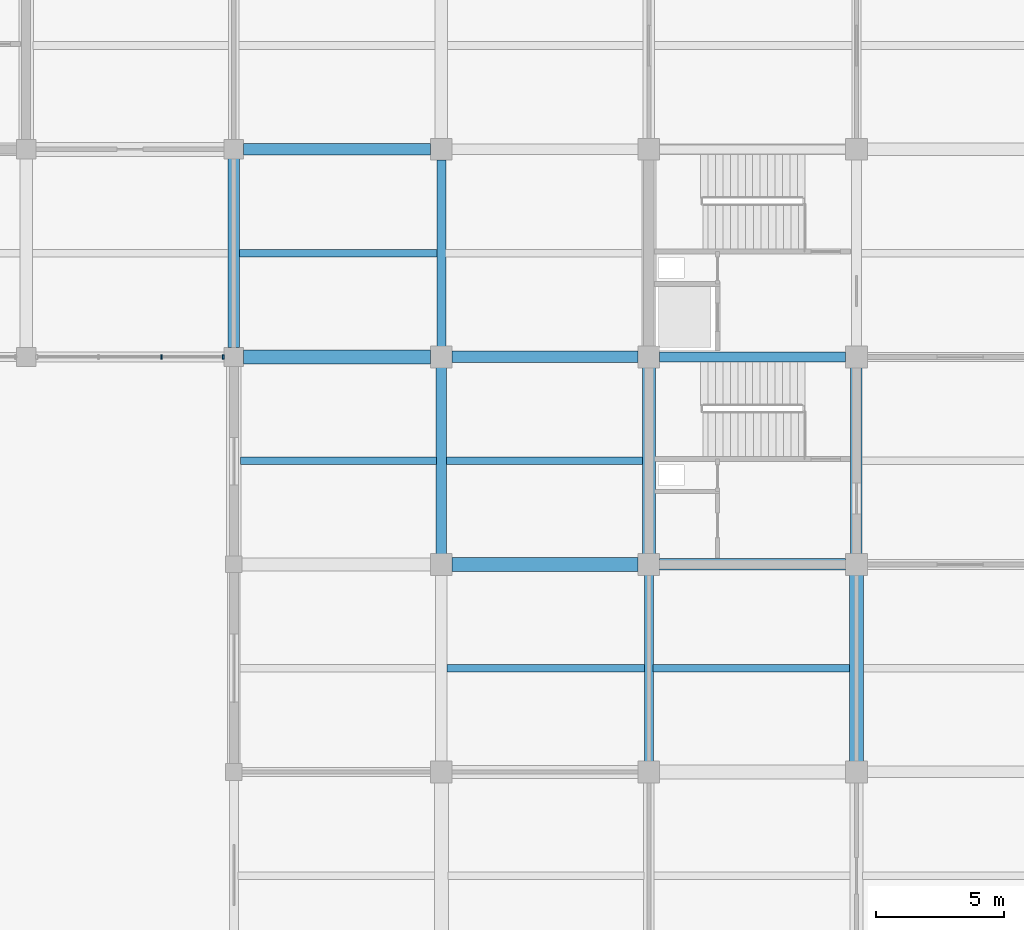
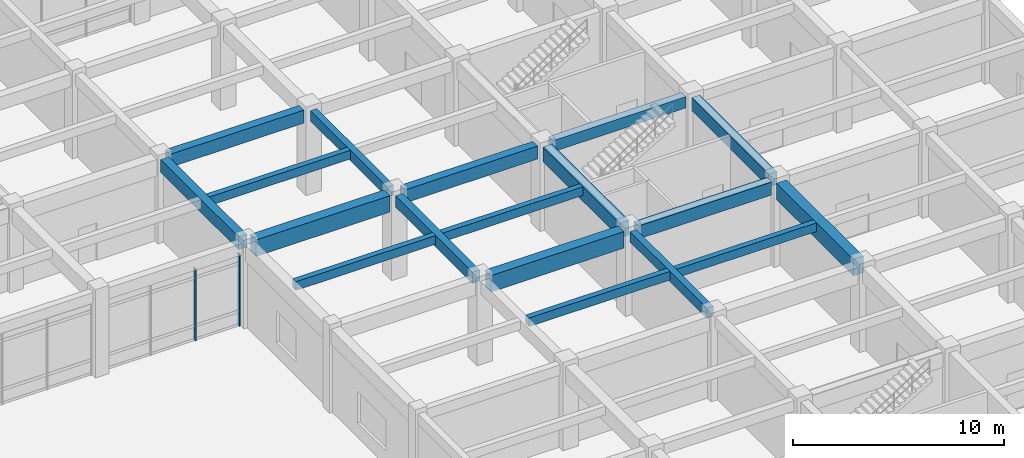
# One storey, part 42 of 99: 18 beams, 2 members, 1 element without a shape of its own.
"""IFC4 building model written with IfcOpenShell, lengths in metres."""

import ifcopenshell
import ifcopenshell.guid

model = None  # the IFC model being written
_history = None  # IfcOwnerHistory: only IFC2X3 demands one
_inside = {}  # id of a spatial element -> (the spatial element, [elements in it])
_under = {}  # id of a project, library or spatial element -> (it, [spatial elements below it])
_declared = {}  # id of a project -> (the project, [libraries it declares])
_typed = {}  # id of a type object -> (the type object, [elements of that type])
_made_of = {}  # id of a material, layer set ... -> (it, [elements and type objects made of it])


def new_model(schema):
    """Start an empty IFC model of exactly this schema.

    Asked for "IFC4X3", IfcOpenShell would pick the latest addendum, in which some entities
    have other attributes; the version numbers below select the first issue.
    IFC2X3 requires an IfcOwnerHistory on every rooted entity: one is made here for all.
    """
    global model, _history
    if schema == "IFC4X3":
        model = ifcopenshell.file(schema_version=(4, 3, 0, 0))
    else:
        model = ifcopenshell.file(schema=schema)
    _inside.clear()
    _under.clear()
    _declared.clear()
    _typed.clear()
    _made_of.clear()
    _history = None
    if model.schema == "IFC2X3":
        org = make("IfcOrganization", Name="unknown")
        user = make(
            "IfcPersonAndOrganization",
            ThePerson=make("IfcPerson", FamilyName="unknown"),
            TheOrganization=org,
        )
        app = make(
            "IfcApplication",
            ApplicationDeveloper=org,
            Version="unknown",
            ApplicationFullName="unknown",
            ApplicationIdentifier="unknown",
        )
        _history = make(
            "IfcOwnerHistory",
            OwningUser=user,
            OwningApplication=app,
            ChangeAction="ADDED",
            CreationDate=0,
        )
    return model


def make(cls, **values):
    """One entity of the class cls with the attributes given. An attribute that is None is left unset."""
    return model.create_entity(
        cls, **{name: value for name, value in values.items() if value is not None}
    )


def rooted(cls, **values):
    """An entity with a GlobalId (a new one), such as an element, a storey or a relation."""
    return make(cls, GlobalId=ifcopenshell.guid.new(), OwnerHistory=_history, **values)


def si_unit(unit_type, name, prefix=None):
    """IfcSIUnit, for example si_unit("LENGTHUNIT", "METRE", prefix="MILLI")."""
    return make("IfcSIUnit", UnitType=unit_type, Prefix=prefix, Name=name)


def assignment(units):
    """IfcUnitAssignment: the units of a project."""
    return None if units is None else make("IfcUnitAssignment", Units=units)


def point(xyz):
    """IfcCartesianPoint."""
    return None if xyz is None else make("IfcCartesianPoint", Coordinates=xyz)


def direction(xyz):
    """IfcDirection."""
    return None if xyz is None else make("IfcDirection", DirectionRatios=xyz)


def frame(location, z_axis=None, x_axis=None):
    """IfcAxis2Placement3D, a coordinate frame: its origin and axes. An axis left out is left unset."""
    return make(
        "IfcAxis2Placement3D",
        Location=point(location),
        Axis=direction(z_axis),
        RefDirection=direction(x_axis),
    )


def frame_2d(location, x_axis=None):
    """IfcAxis2Placement2D, a coordinate frame in the plane: its origin and x axis."""
    return make(
        "IfcAxis2Placement2D", Location=point(location), RefDirection=direction(x_axis)
    )


def origin():
    """The frame at (0, 0, 0) with its axes left unset."""
    return frame((0.0, 0.0, 0.0))


def origin_2d():
    """The frame at (0, 0) in the plane with its x axis left unset."""
    return frame_2d((0.0, 0.0))


def place(relative_to, where):
    """IfcLocalPlacement: puts the frame where relative to a parent placement (None: the world)."""
    return make(
        "IfcLocalPlacement", PlacementRelTo=relative_to, RelativePlacement=where
    )


def context(
    kind, dimensions, precision=None, world=None, true_north=None, identifier=None
):
    """IfcGeometricRepresentationContext, for example the 3D "Model" context."""
    return make(
        "IfcGeometricRepresentationContext",
        ContextIdentifier=identifier,
        ContextType=kind,
        CoordinateSpaceDimension=dimensions,
        Precision=precision,
        WorldCoordinateSystem=world,
        TrueNorth=true_north,
    )


def subcontext(parent, identifier, kind, view, scale=None):
    """IfcGeometricRepresentationSubContext, for example "Body" below "Model"."""
    return make(
        "IfcGeometricRepresentationSubContext",
        ContextIdentifier=identifier,
        ContextType=kind,
        ParentContext=parent,
        TargetScale=scale,
        TargetView=view,
    )


def project(units=None, contexts=None):
    """IfcProject with its units and contexts."""
    return rooted(
        "IfcProject",
        Name="project",
        RepresentationContexts=contexts,
        UnitsInContext=assignment(units),
    )


def spatial(cls, under=None, at=None, **own):
    """A site, building, storey or space (cls), placed at a placement, below another one or the project."""
    s = rooted(cls, ObjectPlacement=at, **own)
    if under is not None:
        _under.setdefault(under.id(), (under, []))[1].append(s)
    return s


def profile(cls, at=None, kind="AREA", **sizes):
    """A parametric profile (cls). Its sizes go by their IFC names, for example OverallWidth=200.0."""
    return make(cls, ProfileType=kind, Position=at, **sizes)


def rectangle(**sizes):
    """IfcRectangleProfileDef."""
    return profile("IfcRectangleProfileDef", **sizes)


def extrude(swept, where, along, depth):
    """IfcExtrudedAreaSolid: the profile swept, set in the frame where, extruded along a direction by depth."""
    return make(
        "IfcExtrudedAreaSolid",
        SweptArea=swept,
        Position=where,
        ExtrudedDirection=direction(along),
        Depth=depth,
    )


def shape(context_of_items, identifier, shape_type, items):
    """IfcShapeRepresentation: the items that make up one representation, for example the "Body"."""
    return make(
        "IfcShapeRepresentation",
        ContextOfItems=context_of_items,
        RepresentationIdentifier=identifier,
        RepresentationType=shape_type,
        Items=items,
    )


def material(Name=None, Category=None):
    """IfcMaterial."""
    return make("IfcMaterial", Name=Name, Category=Category)


def layer(
    of_material, thickness, ventilated=None, Name=None, Category=None, Priority=None
):
    """IfcMaterialLayer: one layer of a wall or slab, of a material (None: an air gap)."""
    return make(
        "IfcMaterialLayer",
        Material=of_material,
        LayerThickness=thickness,
        IsVentilated=ventilated,
        Name=Name,
        Category=Category,
        Priority=Priority,
    )


def layer_set(layers, Name=None):
    """IfcMaterialLayerSet."""
    return make("IfcMaterialLayerSet", MaterialLayers=layers, LayerSetName=Name)


def material_profile(
    of_material, cross_section, Name=None, Category=None, Priority=None
):
    """IfcMaterialProfile: a cross section and its material."""
    return make(
        "IfcMaterialProfile",
        Name=Name,
        Material=of_material,
        Profile=cross_section,
        Priority=Priority,
        Category=Category,
    )


def profile_set(profiles, Name=None, composite=None):
    """IfcMaterialProfileSet."""
    return make(
        "IfcMaterialProfileSet",
        Name=Name,
        MaterialProfiles=profiles,
        CompositeProfile=composite,
    )


def made_of(thing, what):
    """Note that an element or type object is made of a material, layer set ...; save() writes the relation."""
    if what is not None:
        _made_of.setdefault(what.id(), (what, []))[1].append(thing)
    return thing


def type_object(cls, material=None, **own):
    """A type object (cls), such as IfcWallType, which elements share."""
    return made_of(rooted(cls, **own), material)


def element(
    cls,
    number,
    at=None,
    inside=None,
    cuts=None,
    type_object=None,
    material=None,
    context=None,
    identifier="Body",
    shape_type=None,
    held_by="IfcProductDefinitionShape",
    body=None,
    shapes=None,
    **own,
):
    """One element of the class cls, such as IfcWall. Its Tag is "e" and its number.

    at: its placement. inside: the storey or other place that contains it. cuts: it is an
    opening in that element (IfcRelVoidsElement). A single representation is given by context,
    identifier, shape_type and body (its items); several are given by shapes. held_by: the class
    of the entity that holds the representations. save() writes the other relations.
    """
    e = rooted(cls, Tag="e%d" % number, ObjectPlacement=at, **own)
    if body is not None:
        shapes = [shape(context, identifier, shape_type, body)]
    if shapes is not None:
        e.Representation = make(held_by, Representations=shapes)
    if inside is not None:
        _inside.setdefault(inside.id(), (inside, []))[1].append(e)
    if cuts is not None:
        rooted(
            "IfcRelVoidsElement", RelatingBuildingElement=cuts, RelatedOpeningElement=e
        )
    if type_object is not None:
        _typed.setdefault(type_object.id(), (type_object, []))[1].append(e)
    return made_of(e, material)


def aggregate(whole, parts):
    """IfcRelAggregates: a whole, such as a stair, and the parts it consists of."""
    return rooted("IfcRelAggregates", RelatingObject=whole, RelatedObjects=parts)


def save(model, path):
    """Write the relations noted so far, then the file.

    IfcRelAggregates (storeys below a building ...), IfcRelContainedInSpatialStructure (elements
    in a storey), IfcRelDefinesByType, IfcRelAssociatesMaterial and IfcRelDeclares: one each for
    every whole, place, type object, material and project.
    """
    for whole, parts in _under.values():
        aggregate(whole, parts)
    for where, things in _inside.values():
        rooted(
            "IfcRelContainedInSpatialStructure",
            RelatedElements=things,
            RelatingStructure=where,
        )
    for kind, things in _typed.values():
        rooted("IfcRelDefinesByType", RelatedObjects=things, RelatingType=kind)
    for what, things in _made_of.values():
        rooted("IfcRelAssociatesMaterial", RelatedObjects=things, RelatingMaterial=what)
    for by, libraries in _declared.values():
        rooted("IfcRelDeclares", RelatingContext=by, RelatedDefinitions=libraries)
    model.write(path)


model = new_model("IFC4")

# Units and contexts
model_context = context("Model", 3, precision=1e-05, world=origin(), true_north=direction((0.0, 1.0)))
body_context = subcontext(model_context, "Body", "Model", "MODEL_VIEW")
ifc_project = project(units=[si_unit("LENGTHUNIT", "METRE"), si_unit("AREAUNIT", "SQUARE_METRE"), si_unit("VOLUMEUNIT", "CUBIC_METRE"), si_unit("PLANEANGLEUNIT", "RADIAN"), si_unit("MASSUNIT", "GRAM", prefix="KILO")], contexts=[model_context])

# Site, building, storey
site_placement = place(None, origin())
site = spatial("IfcSite", under=ifc_project, at=site_placement, CompositionType="ELEMENT")
building_placement = place(site_placement, origin())
building = spatial("IfcBuilding", under=site, at=building_placement, Name="Vaudrelin Polytechnic", CompositionType="ELEMENT")
storey_placement = place(building_placement, origin())
storey = spatial("IfcBuildingStorey", under=building, at=storey_placement, Name="L00", CompositionType="ELEMENT", Elevation=0.0)

# Beams
ifc_material_1 = material(Name="Concrete 40 MPa", Category="concrete")
ifc_material_profile_1 = material_profile(ifc_material_1, rectangle(XDim=0.35009765625, YDim=0.60009765625, at=origin_2d()), Name="RC350x600")
ifc_profile_set_1 = profile_set([ifc_material_profile_1], Name="Concrete 40 MPa")
beam_type_1 = type_object("IfcBeamType", Name="BM-BM-RC3560", PredefinedType="BEAM", material=ifc_profile_set_1)
beam_1_placement = place(storey_placement, frame((137.699951171875, 97.610107421875, 4.52001953125), z_axis=(0.0, 1.0, 0.0), x_axis=(-1.0, 0.0, 0.0)))
element("IfcBeam", 1, at=beam_1_placement, inside=storey, type_object=beam_type_1, Name="L00 Y-beam 18-13", PredefinedType="BEAM", context=body_context, shape_type="SweptSolid", body=[
    extrude(rectangle(XDim=0.35009765625, YDim=0.60009765625, at=origin_2d()), origin(), (0.0, 0.0, 1.0), 7.27978515625),
])
beam_2_placement = place(storey_placement, frame((145.800048828125, 81.409912109375, 4.52001953125), z_axis=(0.0, 1.0, 0.0), x_axis=(-1.0, 0.0, 0.0)))
element("IfcBeam", 2, at=beam_2_placement, inside=storey, type_object=beam_type_1, Name="L00 Y-beam 19-11", PredefinedType="BEAM", context=body_context, shape_type="SweptSolid", body=[
    extrude(rectangle(XDim=0.35009765625, YDim=0.60009765625, at=origin_2d()), origin(), (0.0, 0.0, 1.0), 7.280029296875),
])
ifc_material_profile_2 = material_profile(ifc_material_1, rectangle(XDim=0.39990234375, YDim=0.64990234375, at=origin_2d()), Name="RC400x650")
ifc_profile_set_2 = profile_set([ifc_material_profile_2], Name="Concrete 40 MPa")
beam_type_2 = type_object("IfcBeamType", Name="BM-BM-RC4065", PredefinedType="BEAM", material=ifc_profile_set_2)
beam_3_placement = place(storey_placement, frame((137.699951171875, 89.510009765625, 4.4951171875), z_axis=(0.0, 1.0, 0.0), x_axis=(-1.0, 0.0, 0.0)))
element("IfcBeam", 3, at=beam_3_placement, inside=storey, type_object=beam_type_2, Name="L00 Y-beam 18-12", PredefinedType="BEAM", context=body_context, shape_type="SweptSolid", body=[
    extrude(rectangle(XDim=0.39990234375, YDim=0.64990234375, at=origin_2d()), origin(), (0.0, 0.0, 1.0), 7.280029296875),
])
beam_4_placement = place(storey_placement, frame((146.220947265625, 97.199951171875, 4.4951171875), z_axis=(1.0, 0.0, 0.0), x_axis=(0.0, 1.0, 0.0)))
element("IfcBeam", 4, at=beam_4_placement, inside=storey, type_object=beam_type_2, Name="L00 X-beam 19-13", PredefinedType="BEAM", context=body_context, shape_type="SweptSolid", body=[
    extrude(rectangle(XDim=0.39990234375, YDim=0.64990234375, at=origin_2d()), origin(), (0.0, 0.0, 1.0), 7.258056640625),
])
ifc_material_profile_3 = material_profile(ifc_material_1, rectangle(XDim=0.449951171875, YDim=0.75, at=origin_2d()), Name="RC450x750")
ifc_profile_set_3 = profile_set([ifc_material_profile_3], Name="Concrete 40 MPa")
beam_type_3 = type_object("IfcBeamType", Name="BM-BM-RC4575", PredefinedType="BEAM", material=ifc_profile_set_3)
beam_5_placement = place(storey_placement, frame((129.60009765625, 97.56005859375, 4.445068359375), z_axis=(0.0, 1.0, 0.0), x_axis=(-1.0, 0.0, 0.0)))
element("IfcBeam", 5, at=beam_5_placement, inside=storey, type_object=beam_type_3, Name="L00 Y-beam 17-13", PredefinedType="BEAM", context=body_context, shape_type="SweptSolid", body=[
    extrude(rectangle(XDim=0.449951171875, YDim=0.75, at=origin_2d()), origin(), (0.0, 0.0, 1.0), 7.3798828125),
])
beam_6_placement = place(storey_placement, frame((153.89990234375, 89.510009765625, 4.445068359375), z_axis=(0.0, 1.0, 0.0), x_axis=(-1.0, 0.0, 0.0)))
element("IfcBeam", 6, at=beam_6_placement, inside=storey, type_object=beam_type_3, Name="L00 Y-beam 20-12", PredefinedType="BEAM", context=body_context, shape_type="SweptSolid", body=[
    extrude(rectangle(XDim=0.449951171875, YDim=0.75, at=origin_2d()), origin(), (0.0, 0.0, 1.0), 7.280029296875),
])
beam_7_placement = place(storey_placement, frame((129.970947265625, 105.300048828125, 4.445068359375), z_axis=(1.0, 0.0, 0.0), x_axis=(0.0, 1.0, 0.0)))
element("IfcBeam", 7, at=beam_7_placement, inside=storey, type_object=beam_type_3, Name="L00 X-beam 17-14", PredefinedType="BEAM", context=body_context, shape_type="SweptSolid", body=[
    extrude(rectangle(XDim=0.449951171875, YDim=0.75, at=origin_2d()), origin(), (0.0, 0.0, 1.0), 7.30810546875),
])
beam_8_placement = place(storey_placement, frame((138.12109375, 97.199951171875, 4.445068359375), z_axis=(1.0, 0.0, 0.0), x_axis=(0.0, 1.0, 0.0)))
element("IfcBeam", 8, at=beam_8_placement, inside=storey, type_object=beam_type_3, Name="L00 X-beam 18-13", PredefinedType="BEAM", context=body_context, shape_type="SweptSolid", body=[
    extrude(rectangle(XDim=0.449951171875, YDim=0.75, at=origin_2d()), origin(), (0.0, 0.0, 1.0), 7.2578125),
])
beam_9_placement = place(storey_placement, frame((146.220947265625, 89.10009765625, 4.445068359375), z_axis=(1.0, 0.0, 0.0), x_axis=(0.0, 1.0, 0.0)))
element("IfcBeam", 9, at=beam_9_placement, inside=storey, type_object=beam_type_3, Name="L00 X-beam 19-12", PredefinedType="BEAM", context=body_context, shape_type="SweptSolid", body=[
    extrude(rectangle(XDim=0.449951171875, YDim=0.75, at=origin_2d()), origin(), (0.0, 0.0, 1.0), 7.258056640625),
])
ifc_material_profile_4 = material_profile(ifc_material_1, rectangle(XDim=0.5, YDim=0.85009765625, at=origin_2d()), Name="RC500x850")
ifc_profile_set_4 = profile_set([ifc_material_profile_4], Name="Concrete 40 MPa")
beam_type_4 = type_object("IfcBeamType", Name="BM-BM-RC5085", PredefinedType="BEAM", material=ifc_profile_set_4)
beam_10_placement = place(storey_placement, frame((145.800048828125, 89.510009765625, 4.39501953125), z_axis=(0.0, 1.0, 0.0), x_axis=(-1.0, 0.0, 0.0)))
element("IfcBeam", 10, at=beam_10_placement, inside=storey, type_object=beam_type_4, Name="L00 Y-beam 19-12", PredefinedType="BEAM", context=body_context, shape_type="SweptSolid", body=[
    extrude(rectangle(XDim=0.5, YDim=0.85009765625, at=origin_2d()), origin(), (0.0, 0.0, 1.0), 7.280029296875),
])
ifc_material_2 = material(Name="Concrete 50 MPa", Category="concrete")
ifc_material_profile_5 = material_profile(ifc_material_2, rectangle(XDim=0.550048828125, YDim=0.949951171875, at=origin_2d()), Name="RC550x950")
ifc_profile_set_5 = profile_set([ifc_material_profile_5], Name="Concrete 50 MPa")
beam_type_5 = type_object("IfcBeamType", Name="BM-BM-RC5595", PredefinedType="BEAM", material=ifc_profile_set_5)
beam_11_placement = place(storey_placement, frame((153.89990234375, 81.409912109375, 4.344970703125), z_axis=(0.0, 1.0, 0.0), x_axis=(-1.0, 0.0, 0.0)))
element("IfcBeam", 11, at=beam_11_placement, inside=storey, type_object=beam_type_5, Name="L00 Y-beam 20-11", PredefinedType="BEAM", context=body_context, shape_type="SweptSolid", body=[
    extrude(rectangle(XDim=0.550048828125, YDim=0.949951171875, at=origin_2d()), origin(), (0.0, 0.0, 1.0), 7.280029296875),
])
beam_12_placement = place(storey_placement, frame((129.970947265625, 97.199951171875, 4.344970703125), z_axis=(1.0, 0.0, 0.0), x_axis=(0.0, 1.0, 0.0)))
element("IfcBeam", 12, at=beam_12_placement, inside=storey, type_object=beam_type_5, Name="L00 X-beam 17-13", PredefinedType="BEAM", context=body_context, shape_type="SweptSolid", body=[
    extrude(rectangle(XDim=0.550048828125, YDim=0.949951171875, at=origin_2d()), origin(), (0.0, 0.0, 1.0), 7.30810546875),
])
beam_13_placement = place(storey_placement, frame((138.12109375, 89.10009765625, 4.344970703125), z_axis=(1.0, 0.0, 0.0), x_axis=(0.0, 1.0, 0.0)))
element("IfcBeam", 13, at=beam_13_placement, inside=storey, type_object=beam_type_5, Name="L00 X-beam 18-12", PredefinedType="BEAM", context=body_context, shape_type="SweptSolid", body=[
    extrude(rectangle(XDim=0.550048828125, YDim=0.949951171875, at=origin_2d()), origin(), (0.0, 0.0, 1.0), 7.2578125),
])
ifc_material_profile_6 = material_profile(ifc_material_1, rectangle(XDim=0.300048828125, YDim=0.5, at=origin_2d()), Name="RC300x500")
ifc_profile_set_6 = profile_set([ifc_material_profile_6], Name="Concrete 40 MPa")
beam_type_6 = type_object("IfcBeamType", Name="BM-JS-RC3050", PredefinedType="JOIST", material=ifc_profile_set_6)
beam_14_placement = place(storey_placement, frame((129.87109375, 93.14990234375, 4.570068359375), z_axis=(1.0, 0.0, 0.0), x_axis=(0.0, 1.0, 0.0)))
element("IfcBeam", 14, at=beam_14_placement, inside=storey, type_object=beam_type_6, Name="L00 floor joist 17-12", PredefinedType="JOIST", context=body_context, shape_type="SweptSolid", body=[
    extrude(rectangle(XDim=0.300048828125, YDim=0.5, at=origin_2d()), origin(), (0.0, 0.0, 1.0), 7.6328125),
])
for number, where, z_axis, x_axis, name in (
    (15, (129.821044921875, 101.25, 4.570068359375), (1.0, 0.0, 0.0), (0.0, 1.0, 0.0), "L00 floor joist 17-13"),
    (16, (137.9208984375, 85.050048828125, 4.570068359375), (1.0, 0.0, 0.0), (0.0, 1.0, 0.0), "L00 floor joist 18-11"),
):
    element("IfcBeam", number, at=place(storey_placement, frame(where, z_axis=z_axis, x_axis=x_axis)), inside=storey, type_object=beam_type_6, Name=name, PredefinedType="JOIST", context=body_context, shape_type="SweptSolid", body=[
        extrude(rectangle(XDim=0.300048828125, YDim=0.5, at=origin_2d()), origin(), (0.0, 0.0, 1.0), 7.7080078125),
    ])
for number, where, z_axis, x_axis, name in (
    (17, (137.89599609375, 93.14990234375, 4.570068359375), (1.0, 0.0, 0.0), (0.0, 1.0, 0.0), "L00 floor joist 18-12"),
    (18, (145.970947265625, 85.050048828125, 4.570068359375), (1.0, 0.0, 0.0), (0.0, 1.0, 0.0), "L00 floor joist 19-11"),
):
    element("IfcBeam", number, at=place(storey_placement, frame(where, z_axis=z_axis, x_axis=x_axis)), inside=storey, type_object=beam_type_6, Name=name, PredefinedType="JOIST", context=body_context, shape_type="SweptSolid", body=[
        extrude(rectangle(XDim=0.300048828125, YDim=0.5, at=origin_2d()), origin(), (0.0, 0.0, 1.0), 7.657958984375),
    ])

# Curtain wall, members
ifc_material_3 = material(Name="Thermally broken anodised aluminium AA 6063-T6 and low-e triple glazing", Category="aluminium")
ifc_layer = layer(ifc_material_3, 0.199951171875)
ifc_layer_set = layer_set([ifc_layer], Name="Thermally broken anodised aluminium AA 6063-T6 and low-e triple glazing")
curtain_wall_type = type_object("IfcCurtainWallType", Name="CW-CW-LIB", PredefinedType="USERDEFINED", material=ifc_layer_set)
curtain_wall_placement = place(storey_placement, origin())
curtain_wall = element("IfcCurtainWall", 19, at=curtain_wall_placement, inside=storey, type_object=curtain_wall_type, Name="Curtain wall L00 CT_N_11", ObjectType="CURTAIN WALL", PredefinedType="USERDEFINED")
ifc_material_4 = material(Name="Anodised aluminium AA 6063-T6", Category="aluminium")
ifc_material_profile_7 = material_profile(ifc_material_4, rectangle(XDim=0.06494140625, YDim=0.179931640625, at=origin_2d()), Name="CWM-65x180")
ifc_profile_set_7 = profile_set([ifc_material_profile_7], Name="Anodised aluminium AA 6063-T6")
member_type = type_object("IfcMemberType", Name="MEM-CWM-180", PredefinedType="MULLION", material=ifc_profile_set_7)
member_1_placement = place(storey_placement, frame((126.775634765625, 97.199951171875, 0.0), z_axis=(0.0, 0.0, 1.0), x_axis=(1.0, 0.0, 0.0)))
member_1 = element("IfcMember", 20, at=member_1_placement, type_object=member_type, Name="CT_N_11 mullion 3", PredefinedType="MULLION", context=body_context, shape_type="SweptSolid", body=[
    extrude(rectangle(XDim=0.06494140625, YDim=0.179931640625, at=origin_2d()), origin(), (0.0, 0.0, 1.0), 4.172119140625),
])
member_2_placement = place(storey_placement, frame((129.18701171875, 97.199951171875, 0.0), z_axis=(0.0, 0.0, 1.0), x_axis=(1.0, 0.0, 0.0)))
member_2 = element("IfcMember", 21, at=member_2_placement, type_object=member_type, Name="CT_N_11 mullion 4", PredefinedType="MULLION", context=body_context, shape_type="SweptSolid", body=[
    extrude(rectangle(XDim=0.06494140625, YDim=0.179931640625, at=origin_2d()), origin(), (0.0, 0.0, 1.0), 4.172119140625),
])
aggregate(curtain_wall, [member_1, member_2])

save(model, "model.ifc")
